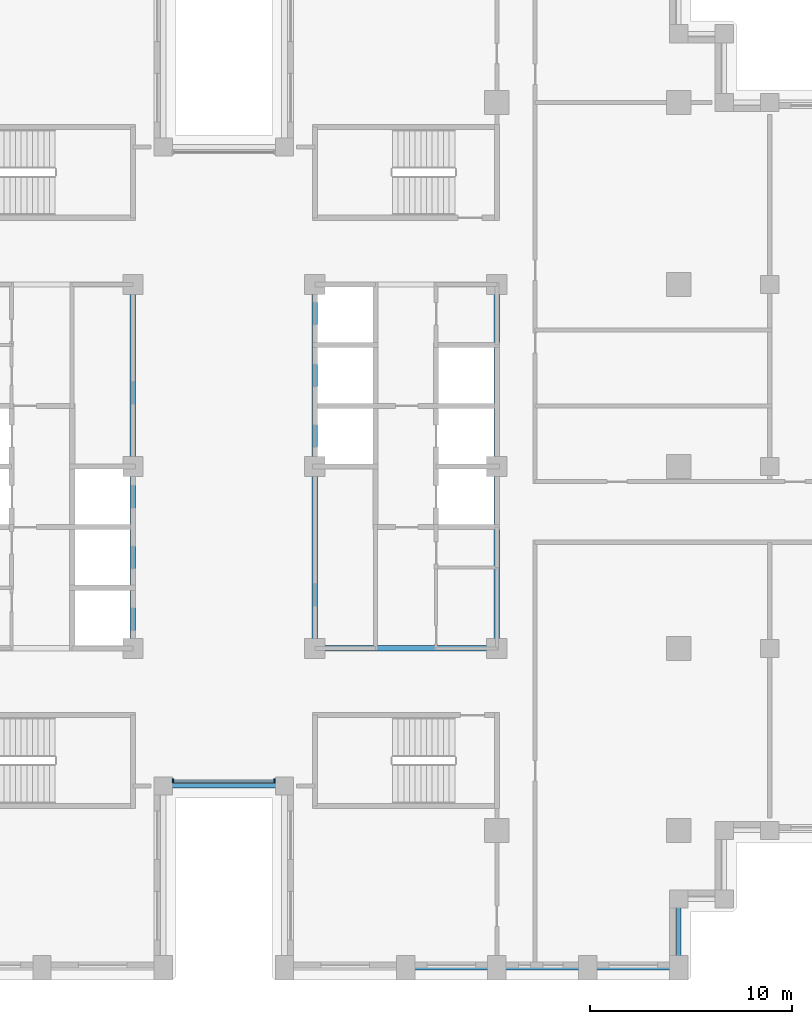
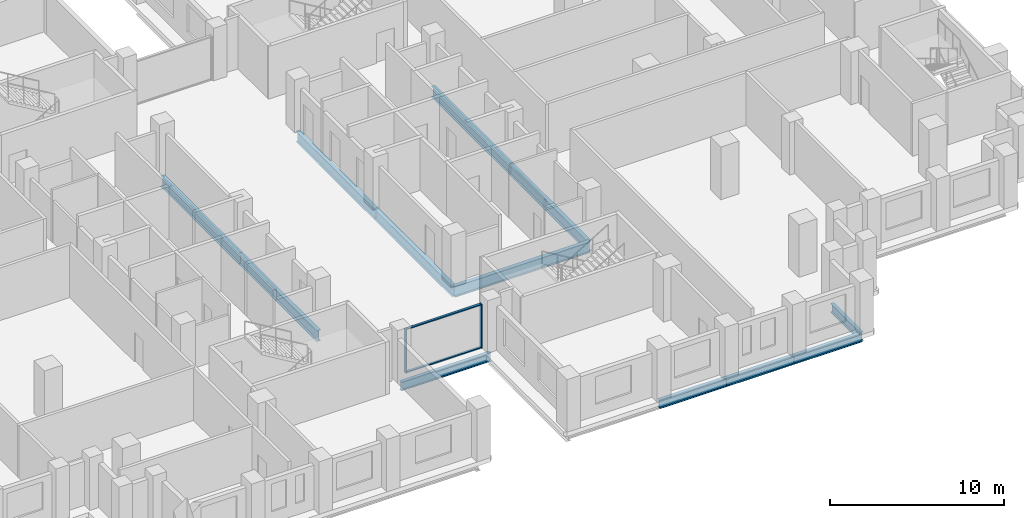
# One storey, part 2 of 15: 12 beams, 4 members, 1 element without a shape of its own.
"""IFC4 building model written with IfcOpenShell, lengths in metres."""

import ifcopenshell
import ifcopenshell.guid

model = None  # the IFC model being written
_history = None  # IfcOwnerHistory: only IFC2X3 demands one
_inside = {}  # id of a spatial element -> (the spatial element, [elements in it])
_under = {}  # id of a project, library or spatial element -> (it, [spatial elements below it])
_declared = {}  # id of a project -> (the project, [libraries it declares])
_typed = {}  # id of a type object -> (the type object, [elements of that type])
_made_of = {}  # id of a material, layer set ... -> (it, [elements and type objects made of it])


def new_model(schema):
    """Start an empty IFC model of exactly this schema.

    Asked for "IFC4X3", IfcOpenShell would pick the latest addendum, in which some entities
    have other attributes; the version numbers below select the first issue.
    IFC2X3 requires an IfcOwnerHistory on every rooted entity: one is made here for all.
    """
    global model, _history
    if schema == "IFC4X3":
        model = ifcopenshell.file(schema_version=(4, 3, 0, 0))
    else:
        model = ifcopenshell.file(schema=schema)
    _inside.clear()
    _under.clear()
    _declared.clear()
    _typed.clear()
    _made_of.clear()
    _history = None
    if model.schema == "IFC2X3":
        org = make("IfcOrganization", Name="unknown")
        user = make(
            "IfcPersonAndOrganization",
            ThePerson=make("IfcPerson", FamilyName="unknown"),
            TheOrganization=org,
        )
        app = make(
            "IfcApplication",
            ApplicationDeveloper=org,
            Version="unknown",
            ApplicationFullName="unknown",
            ApplicationIdentifier="unknown",
        )
        _history = make(
            "IfcOwnerHistory",
            OwningUser=user,
            OwningApplication=app,
            ChangeAction="ADDED",
            CreationDate=0,
        )
    return model


def make(cls, **values):
    """One entity of the class cls with the attributes given. An attribute that is None is left unset."""
    return model.create_entity(
        cls, **{name: value for name, value in values.items() if value is not None}
    )


def rooted(cls, **values):
    """An entity with a GlobalId (a new one), such as an element, a storey or a relation."""
    return make(cls, GlobalId=ifcopenshell.guid.new(), OwnerHistory=_history, **values)


def si_unit(unit_type, name, prefix=None):
    """IfcSIUnit, for example si_unit("LENGTHUNIT", "METRE", prefix="MILLI")."""
    return make("IfcSIUnit", UnitType=unit_type, Prefix=prefix, Name=name)


def assignment(units):
    """IfcUnitAssignment: the units of a project."""
    return None if units is None else make("IfcUnitAssignment", Units=units)


def point(xyz):
    """IfcCartesianPoint."""
    return None if xyz is None else make("IfcCartesianPoint", Coordinates=xyz)


def direction(xyz):
    """IfcDirection."""
    return None if xyz is None else make("IfcDirection", DirectionRatios=xyz)


def frame(location, z_axis=None, x_axis=None):
    """IfcAxis2Placement3D, a coordinate frame: its origin and axes. An axis left out is left unset."""
    return make(
        "IfcAxis2Placement3D",
        Location=point(location),
        Axis=direction(z_axis),
        RefDirection=direction(x_axis),
    )


def frame_2d(location, x_axis=None):
    """IfcAxis2Placement2D, a coordinate frame in the plane: its origin and x axis."""
    return make(
        "IfcAxis2Placement2D", Location=point(location), RefDirection=direction(x_axis)
    )


def origin():
    """The frame at (0, 0, 0) with its axes left unset."""
    return frame((0.0, 0.0, 0.0))


def origin_2d():
    """The frame at (0, 0) in the plane with its x axis left unset."""
    return frame_2d((0.0, 0.0))


def place(relative_to, where):
    """IfcLocalPlacement: puts the frame where relative to a parent placement (None: the world)."""
    return make(
        "IfcLocalPlacement", PlacementRelTo=relative_to, RelativePlacement=where
    )


def context(
    kind, dimensions, precision=None, world=None, true_north=None, identifier=None
):
    """IfcGeometricRepresentationContext, for example the 3D "Model" context."""
    return make(
        "IfcGeometricRepresentationContext",
        ContextIdentifier=identifier,
        ContextType=kind,
        CoordinateSpaceDimension=dimensions,
        Precision=precision,
        WorldCoordinateSystem=world,
        TrueNorth=true_north,
    )


def subcontext(parent, identifier, kind, view, scale=None):
    """IfcGeometricRepresentationSubContext, for example "Body" below "Model"."""
    return make(
        "IfcGeometricRepresentationSubContext",
        ContextIdentifier=identifier,
        ContextType=kind,
        ParentContext=parent,
        TargetScale=scale,
        TargetView=view,
    )


def project(units=None, contexts=None):
    """IfcProject with its units and contexts."""
    return rooted(
        "IfcProject",
        Name="project",
        RepresentationContexts=contexts,
        UnitsInContext=assignment(units),
    )


def spatial(cls, under=None, at=None, **own):
    """A site, building, storey or space (cls), placed at a placement, below another one or the project."""
    s = rooted(cls, ObjectPlacement=at, **own)
    if under is not None:
        _under.setdefault(under.id(), (under, []))[1].append(s)
    return s


def profile(cls, at=None, kind="AREA", **sizes):
    """A parametric profile (cls). Its sizes go by their IFC names, for example OverallWidth=200.0."""
    return make(cls, ProfileType=kind, Position=at, **sizes)


def rectangle(**sizes):
    """IfcRectangleProfileDef."""
    return profile("IfcRectangleProfileDef", **sizes)


def i_section(**sizes):
    """IfcIShapeProfileDef."""
    return profile("IfcIShapeProfileDef", **sizes)


def extrude(swept, where, along, depth):
    """IfcExtrudedAreaSolid: the profile swept, set in the frame where, extruded along a direction by depth."""
    return make(
        "IfcExtrudedAreaSolid",
        SweptArea=swept,
        Position=where,
        ExtrudedDirection=direction(along),
        Depth=depth,
    )


def shape(context_of_items, identifier, shape_type, items):
    """IfcShapeRepresentation: the items that make up one representation, for example the "Body"."""
    return make(
        "IfcShapeRepresentation",
        ContextOfItems=context_of_items,
        RepresentationIdentifier=identifier,
        RepresentationType=shape_type,
        Items=items,
    )


def material(Name=None, Category=None):
    """IfcMaterial."""
    return make("IfcMaterial", Name=Name, Category=Category)


def layer(
    of_material, thickness, ventilated=None, Name=None, Category=None, Priority=None
):
    """IfcMaterialLayer: one layer of a wall or slab, of a material (None: an air gap)."""
    return make(
        "IfcMaterialLayer",
        Material=of_material,
        LayerThickness=thickness,
        IsVentilated=ventilated,
        Name=Name,
        Category=Category,
        Priority=Priority,
    )


def layer_set(layers, Name=None):
    """IfcMaterialLayerSet."""
    return make("IfcMaterialLayerSet", MaterialLayers=layers, LayerSetName=Name)


def material_profile(
    of_material, cross_section, Name=None, Category=None, Priority=None
):
    """IfcMaterialProfile: a cross section and its material."""
    return make(
        "IfcMaterialProfile",
        Name=Name,
        Material=of_material,
        Profile=cross_section,
        Priority=Priority,
        Category=Category,
    )


def profile_set(profiles, Name=None, composite=None):
    """IfcMaterialProfileSet."""
    return make(
        "IfcMaterialProfileSet",
        Name=Name,
        MaterialProfiles=profiles,
        CompositeProfile=composite,
    )


def made_of(thing, what):
    """Note that an element or type object is made of a material, layer set ...; save() writes the relation."""
    if what is not None:
        _made_of.setdefault(what.id(), (what, []))[1].append(thing)
    return thing


def type_object(cls, material=None, **own):
    """A type object (cls), such as IfcWallType, which elements share."""
    return made_of(rooted(cls, **own), material)


def element(
    cls,
    number,
    at=None,
    inside=None,
    cuts=None,
    type_object=None,
    material=None,
    context=None,
    identifier="Body",
    shape_type=None,
    held_by="IfcProductDefinitionShape",
    body=None,
    shapes=None,
    **own,
):
    """One element of the class cls, such as IfcWall. Its Tag is "e" and its number.

    at: its placement. inside: the storey or other place that contains it. cuts: it is an
    opening in that element (IfcRelVoidsElement). A single representation is given by context,
    identifier, shape_type and body (its items); several are given by shapes. held_by: the class
    of the entity that holds the representations. save() writes the other relations.
    """
    e = rooted(cls, Tag="e%d" % number, ObjectPlacement=at, **own)
    if body is not None:
        shapes = [shape(context, identifier, shape_type, body)]
    if shapes is not None:
        e.Representation = make(held_by, Representations=shapes)
    if inside is not None:
        _inside.setdefault(inside.id(), (inside, []))[1].append(e)
    if cuts is not None:
        rooted(
            "IfcRelVoidsElement", RelatingBuildingElement=cuts, RelatedOpeningElement=e
        )
    if type_object is not None:
        _typed.setdefault(type_object.id(), (type_object, []))[1].append(e)
    return made_of(e, material)


def aggregate(whole, parts):
    """IfcRelAggregates: a whole, such as a stair, and the parts it consists of."""
    return rooted("IfcRelAggregates", RelatingObject=whole, RelatedObjects=parts)


def save(model, path):
    """Write the relations noted so far, then the file.

    IfcRelAggregates (storeys below a building ...), IfcRelContainedInSpatialStructure (elements
    in a storey), IfcRelDefinesByType, IfcRelAssociatesMaterial and IfcRelDeclares: one each for
    every whole, place, type object, material and project.
    """
    for whole, parts in _under.values():
        aggregate(whole, parts)
    for where, things in _inside.values():
        rooted(
            "IfcRelContainedInSpatialStructure",
            RelatedElements=things,
            RelatingStructure=where,
        )
    for kind, things in _typed.values():
        rooted("IfcRelDefinesByType", RelatedObjects=things, RelatingType=kind)
    for what, things in _made_of.values():
        rooted("IfcRelAssociatesMaterial", RelatedObjects=things, RelatingMaterial=what)
    for by, libraries in _declared.values():
        rooted("IfcRelDeclares", RelatingContext=by, RelatedDefinitions=libraries)
    model.write(path)


model = new_model("IFC4")

# Units and contexts
model_context = context("Model", 3, precision=1e-05, world=origin(), true_north=direction((0.0, 1.0)))
body_context = subcontext(model_context, "Body", "Model", "MODEL_VIEW")
ifc_project = project(units=[si_unit("LENGTHUNIT", "METRE"), si_unit("AREAUNIT", "SQUARE_METRE"), si_unit("VOLUMEUNIT", "CUBIC_METRE"), si_unit("PLANEANGLEUNIT", "RADIAN"), si_unit("MASSUNIT", "GRAM", prefix="KILO")], contexts=[model_context])

# Site, building, storey
site_placement = place(None, origin())
site = spatial("IfcSite", under=ifc_project, at=site_placement, CompositionType="ELEMENT")
building_placement = place(site_placement, origin())
building = spatial("IfcBuilding", under=site, at=building_placement, Name="Corbelhall Arena Tower", CompositionType="ELEMENT")
storey_placement = place(building_placement, frame((0.0, 0.0, 84.0)))
storey = spatial("IfcBuildingStorey", under=building, at=storey_placement, Name="L13", CompositionType="ELEMENT", Elevation=84.0)

# Curtain wall, members
ifc_material_1 = material(Name="Aluminium black anodised", Category="aluminium")
ifc_layer = layer(ifc_material_1, 0.199951171875)
ifc_layer_set = layer_set([ifc_layer], Name="EV-CW1 Slot back wall")
curtain_wall_type = type_object("IfcCurtainWallType", Name="EV-CW1 Slot back wall", PredefinedType="NOTDEFINED", material=ifc_layer_set)
curtain_wall_placement = place(storey_placement, origin())
curtain_wall = element("IfcCurtainWall", 1, at=curtain_wall_placement, inside=storey, type_object=curtain_wall_type, Name="Curtain wall CW1", PredefinedType="NOTDEFINED")
ifc_material_profile_1 = material_profile(ifc_material_1, rectangle(XDim=0.199951171875, YDim=0.074951171875, at=origin_2d()))
ifc_profile_set_1 = profile_set([ifc_material_profile_1], Name="Aluminium black anodised")
member_type_1 = type_object("IfcMemberType", Name="EV-CW1-MULLION", PredefinedType="MULLION", material=ifc_profile_set_1)
member_1_placement = place(storey_placement, frame((-2.512451171875, -15.550048828125, 0.0), z_axis=(0.0, 0.0, 1.0), x_axis=(0.0, 1.0, 0.0)))
member_1 = element("IfcMember", 2, at=member_1_placement, type_object=member_type_1, Name="CW1 mullion 1", PredefinedType="MULLION", context=body_context, shape_type="SweptSolid", body=[
    extrude(rectangle(XDim=0.199951171875, YDim=0.074951171875, at=origin_2d()), origin(), (0.0, 0.0, 1.0), 3.10009765625),
])
member_2_placement = place(storey_placement, frame((2.512451171875, -15.550048828125, 0.0), z_axis=(0.0, 0.0, 1.0), x_axis=(0.0, 1.0, 0.0)))
member_2 = element("IfcMember", 3, at=member_2_placement, type_object=member_type_1, Name="CW1 mullion 2", PredefinedType="MULLION", context=body_context, shape_type="SweptSolid", body=[
    extrude(rectangle(XDim=0.199951171875, YDim=0.074951171875, at=origin_2d()), origin(), (0.0, 0.0, 1.0), 3.10009765625),
])
ifc_material_profile_2 = material_profile(ifc_material_1, rectangle(XDim=0.14990234375, YDim=0.074951171875, at=origin_2d()))
ifc_profile_set_2 = profile_set([ifc_material_profile_2], Name="Aluminium black anodised")
member_type_2 = type_object("IfcMemberType", Name="EV-CW1-TRANSOM", PredefinedType="USERDEFINED", material=ifc_profile_set_2)
member_3_placement = place(storey_placement, frame((-2.47509765625, -15.550048828125, 0.03759765625), z_axis=(1.0, 0.0, 0.0), x_axis=(0.0, 1.0, 0.0)))
member_3 = element("IfcMember", 4, at=member_3_placement, type_object=member_type_2, Name="CW1 transom 1.1", ObjectType="transom", PredefinedType="USERDEFINED", context=body_context, shape_type="SweptSolid", body=[
    extrude(rectangle(XDim=0.14990234375, YDim=0.074951171875, at=origin_2d()), origin(), (0.0, 0.0, 1.0), 4.9501953125),
])
member_4_placement = place(storey_placement, frame((-2.47509765625, -15.550048828125, 3.0625), z_axis=(1.0, 0.0, 0.0), x_axis=(0.0, 1.0, 0.0)))
member_4 = element("IfcMember", 5, at=member_4_placement, type_object=member_type_2, Name="CW1 transom 1.2", ObjectType="transom", PredefinedType="USERDEFINED", context=body_context, shape_type="SweptSolid", body=[
    extrude(rectangle(XDim=0.14990234375, YDim=0.074951171875, at=origin_2d()), origin(), (0.0, 0.0, 1.0), 4.9501953125),
])
aggregate(curtain_wall, [member_1, member_2, member_3, member_4])

# Beams
ifc_material_2 = material(Name="Steel ASTM A992 Gr50", Category="steel")
ifc_material_profile_3 = material_profile(ifc_material_2, i_section(OverallWidth=0.2666015625, OverallDepth=0.761962890625, WebThickness=0.014404296875, FlangeThickness=0.021484375, at=origin_2d()))
ifc_profile_set_3 = profile_set([ifc_material_profile_3], Name="Steel ASTM A992 Gr50")
beam_type_1 = type_object("IfcBeamType", Name="ST-BEAM-W30x116", PredefinedType="BEAM", material=ifc_profile_set_3)
for number, where, z_axis, x_axis, name in (
    (6, (-4.5, -9.0, -0.680908203125), (0.0, 1.0, 0.0), (-1.0, 0.0, 0.0), "Beam CEW 3"),
    (7, (-4.5, 0.0, -0.680908203125), (0.0, 1.0, 0.0), (-1.0, 0.0, 0.0), "Beam CEW 4"),
    (8, (4.5, -9.0, -0.680908203125), (0.0, 1.0, 0.0), (-1.0, 0.0, 0.0), "Beam CEE 7"),
    (9, (4.5, 0.0, -0.680908203125), (0.0, 1.0, 0.0), (-1.0, 0.0, 0.0), "Beam CEE 8"),
    (10, (13.5, -9.0, -0.680908203125), (0.0, 1.0, 0.0), (-1.0, 0.0, 0.0), "Beam CEE 9"),
    (11, (13.5, 0.0, -0.680908203125), (0.0, 1.0, 0.0), (-1.0, 0.0, 0.0), "Beam CEE 10"),
    (12, (4.5, -9.0, -0.680908203125), (1.0, 0.0, 0.0), (0.0, 1.0, 0.0), "Beam CEE 11"),
):
    element("IfcBeam", number, at=place(storey_placement, frame(where, z_axis=z_axis, x_axis=x_axis)), inside=storey, type_object=beam_type_1, Name=name, PredefinedType="BEAM", context=body_context, shape_type="SweptSolid", body=[
        extrude(i_section(OverallWidth=0.2666015625, OverallDepth=0.761962890625, WebThickness=0.014404296875, FlangeThickness=0.021484375, at=origin_2d()), origin(), (0.0, 0.0, 1.0), 9.0),
    ])
ifc_material_profile_4 = material_profile(ifc_material_2, i_section(OverallWidth=0.23046875, OverallDepth=0.6171875, WebThickness=0.01318359375, FlangeThickness=0.022216796875, at=origin_2d()))
ifc_profile_set_4 = profile_set([ifc_material_profile_4], Name="Steel ASTM A992 Gr50")
beam_type_2 = type_object("IfcBeamType", Name="ST-SPANDREL-W24x94", PredefinedType="SPANDREL", material=ifc_profile_set_4)
for number, where, z_axis, x_axis, name in (
    (13, (13.5, -24.800048828125, -0.608642578125), (-1.0, 0.0, 0.0), (0.0, -1.0, 0.0), "Beam SP 29"),
    (14, (18.0, -24.800048828125, -0.608642578125), (-1.0, 0.0, 0.0), (0.0, -1.0, 0.0), "Beam SP 30"),
    (15, (22.5, -24.800048828125, -0.608642578125), (-1.0, 0.0, 0.0), (0.0, -1.0, 0.0), "Beam SP 31"),
):
    element("IfcBeam", number, at=place(storey_placement, frame(where, z_axis=z_axis, x_axis=x_axis)), inside=storey, type_object=beam_type_2, Name=name, PredefinedType="SPANDREL", context=body_context, shape_type="SweptSolid", body=[
        extrude(i_section(OverallWidth=0.23046875, OverallDepth=0.6171875, WebThickness=0.01318359375, FlangeThickness=0.022216796875, at=origin_2d()), origin(), (0.0, 0.0, 1.0), 4.5),
    ])
beam_1_placement = place(storey_placement, frame((3.0, -15.800048828125, -0.608642578125), z_axis=(-1.0, 0.0, 0.0), x_axis=(0.0, -1.0, 0.0)))
element("IfcBeam", 16, at=beam_1_placement, inside=storey, type_object=beam_type_2, Name="Beam SP 41", PredefinedType="SPANDREL", context=body_context, shape_type="SweptSolid", body=[
    extrude(i_section(OverallWidth=0.23046875, OverallDepth=0.6171875, WebThickness=0.01318359375, FlangeThickness=0.022216796875, at=origin_2d()), origin(), (0.0, 0.0, 1.0), 6.0),
])
beam_2_placement = place(storey_placement, frame((22.5, -21.39990234375, -0.608642578125), z_axis=(0.0, -1.0, 0.0), x_axis=(1.0, 0.0, 0.0)))
element("IfcBeam", 17, at=beam_2_placement, inside=storey, type_object=beam_type_2, Name="Beam SP 49", PredefinedType="SPANDREL", context=body_context, shape_type="SweptSolid", body=[
    extrude(i_section(OverallWidth=0.23046875, OverallDepth=0.6171875, WebThickness=0.01318359375, FlangeThickness=0.022216796875, at=origin_2d()), origin(), (0.0, 0.0, 1.0), 3.400146484375),
])

save(model, "model.ifc")
